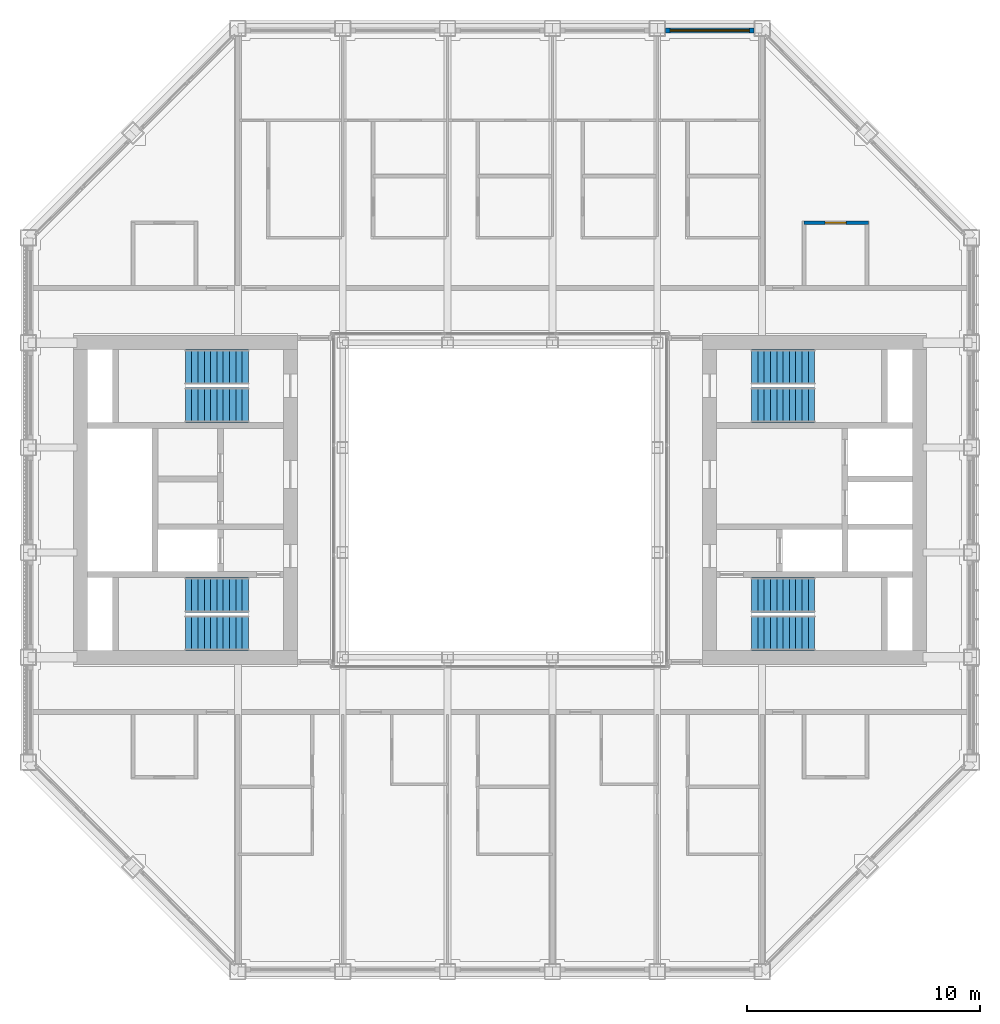
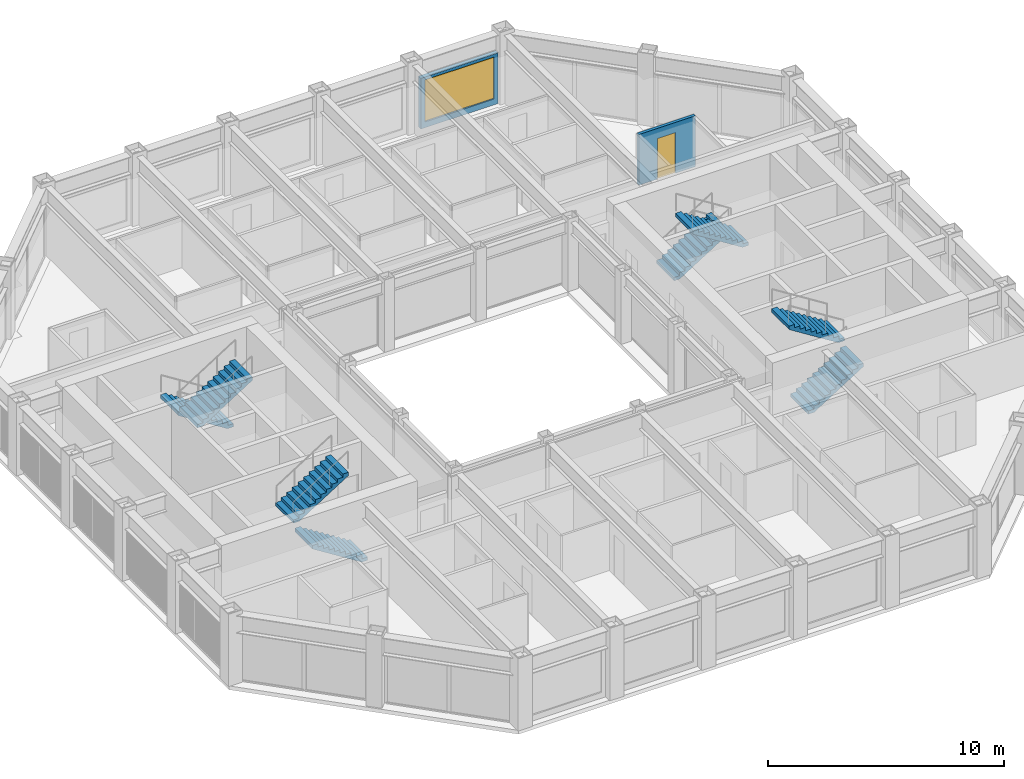
# One storey, part 13 of 18: 8 stair flights, 2 walls, 1 door, 1 window, 2 openings, 4 elements without a shape of their own.
"""IFC4 building model written with IfcOpenShell, lengths in metres."""

from ifc_helpers import new_model, si_unit, direction, frame, frame_2d, origin, place, context, subcontext, project, spatial, polyline, rectangle, outline, extrude, material, layer, layer_set, type_object, element, fill, aggregate, save


model = new_model("IFC4")

# Units and contexts
model_context = context("Model", 3, precision=1e-05, world=origin(), true_north=direction((0.0, 1.0)))
body_context = subcontext(model_context, "Body", "Model", "MODEL_VIEW")
ifc_project = project(units=[si_unit("LENGTHUNIT", "METRE"), si_unit("AREAUNIT", "SQUARE_METRE"), si_unit("VOLUMEUNIT", "CUBIC_METRE"), si_unit("PLANEANGLEUNIT", "RADIAN"), si_unit("MASSUNIT", "GRAM", prefix="KILO")], contexts=[model_context])

# Site, building, storey
site_placement = place(None, origin())
site = spatial("IfcSite", under=ifc_project, at=site_placement, CompositionType="ELEMENT")
building_placement = place(site_placement, origin())
building = spatial("IfcBuilding", under=site, at=building_placement, Name="Msasa Ring Tower", CompositionType="ELEMENT")
storey_placement = place(building_placement, frame((0.0, 0.0, 245.800048828125)))
storey = spatial("IfcBuildingStorey", under=building, at=storey_placement, Name="L64", CompositionType="ELEMENT", Elevation=245.800048828125)

# Wall, opening, window
ifc_material_1 = material(Name="Terracotta rainscreen on blockwork", Category="masonry")
ifc_layer_1 = layer(ifc_material_1, 0.199951171875)
ifc_layer_set_1 = layer_set([ifc_layer_1], Name="FW1 TERRACOTTA-LINED INFILL BAY WALL 200")
wall_type_1 = type_object("IfcWallType", Name="FW1 TERRACOTTA-LINED INFILL BAY WALL 200", PredefinedType="SOLIDWALL", material=ifc_layer_set_1)
wall_1_placement = place(storey_placement, frame((7.10498046875, 20.14990234375, 0.0), z_axis=(0.0, 0.0, 1.0), x_axis=(1.0, 0.0, 0.0)))
wall_1 = element("IfcWall", 1, at=wall_1_placement, inside=storey, type_object=wall_type_1, Name="Infill bay wall N L64 18", PredefinedType="SOLIDWALL", context=body_context, shape_type="SweptSolid", body=[
    extrude(rectangle(XDim=3.7900390625, YDim=0.199951171875, at=frame_2d((1.89501953125, 0.0))), origin(), (0.0, 0.0, 1.0), 2.62890625),
])
opening_1_placement = place(wall_1_placement, frame((0.195068359375, 0.0, 0.300048828125)))
opening_1 = element("IfcOpeningElement", 2, at=opening_1_placement, cuts=wall_1, Name="Opening WN3", PredefinedType="OPENING", context=body_context, shape_type="SweptSolid", body=[
    extrude(rectangle(XDim=3.39990234375, YDim=2.178955078125, at=frame_2d((1.699951171875, 1.08935546875))), frame((0.0, 0.10986328125, 0.0), z_axis=(0.0, -1.0, 0.0), x_axis=(1.0, 0.0, 0.0)), (0.0, 0.0, 1.0), 0.219970703125),
])
ifc_material_2 = material(Name="Aluminium frame with clear glass", Category="aluminium")
window_type = type_object("IfcWindowType", Name="WN3 SUITE WINDOW 3400x2179", PartitioningType="SINGLE_PANEL", PredefinedType="WINDOW", material=ifc_material_2)
window_placement = place(opening_1_placement, origin())
window = element("IfcWindow", 3, at=window_placement, inside=storey, type_object=window_type, Name="Window N L64 18", OverallHeight=2.178955078125, OverallWidth=3.39990234375, PartitioningType="SINGLE_PANEL", PredefinedType="WINDOW", context=body_context, shape_type="SweptSolid", body=[
    extrude(rectangle(XDim=3.39990234375, YDim=2.178955078125, at=frame_2d((1.699951171875, 1.08935546875))), frame((0.0, 0.030029296875, 0.0), z_axis=(0.0, -1.0, 0.0), x_axis=(1.0, 0.0, 0.0)), (0.0, 0.0, 1.0), 0.06005859375),
])
fill(opening_1, window)

# Wall, opening, door
ifc_material_3 = material(Name="Moisture-resistant board on steel studs with a concealed cistern and pipe void, tiled", Category="steel")
ifc_layer_2 = layer(ifc_material_3, 0.14990234375)
ifc_layer_set_2 = layer_set([ifc_layer_2], Name="PT4 BATHROOM WET WALL 150")
wall_type_2 = type_object("IfcWallType", Name="PT4 BATHROOM WET WALL 150", PredefinedType="PARTITIONING", material=ifc_layer_set_2)
wall_2_placement = place(storey_placement, frame((13.050048828125, 11.89990234375, 0.0), z_axis=(0.0, 0.0, 1.0), x_axis=(1.0, 0.0, 0.0)))
wall_2 = element("IfcWall", 4, at=wall_2_placement, inside=storey, type_object=wall_type_2, Name="Partition L64-CSNEBY", PredefinedType="PARTITIONING", context=body_context, shape_type="SweptSolid", body=[
    extrude(rectangle(XDim=2.77490234375, YDim=0.14990234375, at=frame_2d((1.387451171875, 0.0))), origin(), (0.0, 0.0, 1.0), 2.62890625),
])
opening_2_placement = place(wall_2_placement, frame((0.89990234375, 0.0, 0.0)))
opening_2 = element("IfcOpeningElement", 5, at=opening_2_placement, cuts=wall_2, Name="Opening SE-016", PredefinedType="OPENING", context=body_context, shape_type="SweptSolid", body=[
    extrude(rectangle(XDim=0.89990234375, YDim=2.10009765625, at=frame_2d((0.449951171875, 1.050048828125))), frame((0.0, 0.0849609375, 0.0), z_axis=(0.0, -1.0, 0.0), x_axis=(1.0, 0.0, 0.0)), (0.0, 0.0, 1.0), 0.169921875),
])
ifc_material_4 = material(Name="Timber door leaf in a steel frame", Category="steel")
door_type = type_object("IfcDoorType", Name="D3 BATHROOM DOOR 900x2100", OperationType="SINGLE_SWING_LEFT", PredefinedType="DOOR", material=ifc_material_4)
door_placement = place(opening_2_placement, origin())
door = element("IfcDoor", 6, at=door_placement, inside=storey, type_object=door_type, Name="Door L64-CSNEB1", OperationType="SINGLE_SWING_LEFT", OverallHeight=2.10009765625, OverallWidth=0.89990234375, PredefinedType="DOOR", context=body_context, shape_type="SweptSolid", body=[
    extrude(rectangle(XDim=0.89990234375, YDim=2.10009765625, at=frame_2d((0.449951171875, 1.050048828125))), frame((0.0, 0.02490234375, 0.0), z_axis=(0.0, -1.0, 0.0), x_axis=(1.0, 0.0, 0.0)), (0.0, 0.0, 1.0), 0.050048828125),
])
fill(opening_2, door)

# Stair, stair flights
ifc_material_5 = material(Name="Concrete C40/50", Category="concrete")
stair_type = type_object("IfcStairType", Name="STC CORE STAIR 22 RISERS 170.5", PredefinedType="HALF_TURN_STAIR", material=ifc_material_5)
stair_1_placement = place(storey_placement, origin())
stair_1 = element("IfcStair", 7, at=stair_1_placement, inside=storey, type_object=stair_type, Name="Core stair SEA L64", PredefinedType="HALF_TURN_STAIR")
ifc_material_6 = material(Name="Concrete C40/50", Category="concrete")
stair_flight_type = type_object("IfcStairFlightType", Name="ST11 CORE STAIR FLIGHT 1500 11 RISERS 170.5", PredefinedType="STRAIGHT", material=ifc_material_6)
stair_flight_1_placement = place(storey_placement, frame((10.800048828125, -5.699951171875, 0.0), z_axis=(0.0, 0.0, 1.0), x_axis=(1.0, 0.0, 0.0)))
stair_flight_1 = element("IfcStairFlight", 8, at=stair_flight_1_placement, type_object=stair_flight_type, Name="SEA flight 1", NumberOfRisers=11, NumberOfTreads=10, PredefinedType="STRAIGHT", RiserHeight=0.170454545, TreadLength=0.27, context=body_context, shape_type="SweptSolid", body=[
    extrude(outline(polyline([(0.0, 0.0), (0.0, 0.17041015625), (0.27001953125, 0.17041015625), (0.27001953125, 0.3408203125), (0.5400390625, 0.3408203125), (0.5400390625, 0.511474609375), (0.81005859375, 0.511474609375), (0.81005859375, 0.681884765625), (1.080078125, 0.681884765625), (1.080078125, 0.852294921875), (1.35009765625, 0.852294921875), (1.35009765625, 1.022705078125), (1.6201171875, 1.022705078125), (1.6201171875, 1.193115234375), (1.889892578125, 1.193115234375), (1.889892578125, 1.363525390625), (2.159912109375, 1.363525390625), (2.159912109375, 1.5341796875), (2.429931640625, 1.5341796875), (2.429931640625, 1.70458984375), (2.699951171875, 1.70458984375), (2.699951171875, 1.875), (2.699951171875, 1.52734375), (0.28076171875, 0.0), (0.0, 0.0)])), frame((0.0, 0.75, 0.0), z_axis=(0.0, -1.0, 0.0), x_axis=(1.0, 0.0, 0.0)), (0.0, 0.0, 1.0), 1.5),
])
stair_flight_2_placement = place(storey_placement, frame((13.5, -4.074951171875, 1.875), z_axis=(0.0, 0.0, 1.0), x_axis=(-1.0, 0.0, 0.0)))
stair_flight_2 = element("IfcStairFlight", 9, at=stair_flight_2_placement, type_object=stair_flight_type, Name="SEA flight 2", NumberOfRisers=11, NumberOfTreads=10, PredefinedType="STRAIGHT", RiserHeight=0.170454545, TreadLength=0.27, context=body_context, shape_type="SweptSolid", body=[
    extrude(outline(polyline([(0.0, 0.0), (0.0, 0.17041015625), (0.27001953125, 0.17041015625), (0.27001953125, 0.3408203125), (0.5400390625, 0.3408203125), (0.5400390625, 0.511474609375), (0.81005859375, 0.511474609375), (0.81005859375, 0.681884765625), (1.080078125, 0.681884765625), (1.080078125, 0.852294921875), (1.35009765625, 0.852294921875), (1.35009765625, 1.022705078125), (1.6201171875, 1.022705078125), (1.6201171875, 1.193115234375), (1.889892578125, 1.193115234375), (1.889892578125, 1.363525390625), (2.159912109375, 1.363525390625), (2.159912109375, 1.5341796875), (2.429931640625, 1.5341796875), (2.429931640625, 1.70458984375), (2.699951171875, 1.70458984375), (2.699951171875, 1.875), (2.699951171875, 1.52734375), (0.28076171875, 0.0), (0.0, 0.0)])), frame((0.0, 0.75, 0.0), z_axis=(0.0, -1.0, 0.0), x_axis=(1.0, 0.0, 0.0)), (0.0, 0.0, 1.0), 1.5),
])
aggregate(stair_1, [stair_flight_1, stair_flight_2])

stair_2_placement = place(storey_placement, origin())
stair_2 = element("IfcStair", 10, at=stair_2_placement, inside=storey, type_object=stair_type, Name="Core stair SEB L64", PredefinedType="HALF_TURN_STAIR")
stair_flight_3_placement = place(storey_placement, frame((10.800048828125, 5.699951171875, 0.0), z_axis=(0.0, 0.0, 1.0), x_axis=(1.0, 0.0, 0.0)))
stair_flight_3 = element("IfcStairFlight", 11, at=stair_flight_3_placement, type_object=stair_flight_type, Name="SEB flight 1", NumberOfRisers=11, NumberOfTreads=10, PredefinedType="STRAIGHT", RiserHeight=0.170454545, TreadLength=0.27, context=body_context, shape_type="SweptSolid", body=[
    extrude(outline(polyline([(0.0, 0.0), (0.0, 0.17041015625), (0.27001953125, 0.17041015625), (0.27001953125, 0.3408203125), (0.5400390625, 0.3408203125), (0.5400390625, 0.511474609375), (0.81005859375, 0.511474609375), (0.81005859375, 0.681884765625), (1.080078125, 0.681884765625), (1.080078125, 0.852294921875), (1.35009765625, 0.852294921875), (1.35009765625, 1.022705078125), (1.6201171875, 1.022705078125), (1.6201171875, 1.193115234375), (1.889892578125, 1.193115234375), (1.889892578125, 1.363525390625), (2.159912109375, 1.363525390625), (2.159912109375, 1.5341796875), (2.429931640625, 1.5341796875), (2.429931640625, 1.70458984375), (2.699951171875, 1.70458984375), (2.699951171875, 1.875), (2.699951171875, 1.52734375), (0.28076171875, 0.0), (0.0, 0.0)])), frame((0.0, 0.75, 0.0), z_axis=(0.0, -1.0, 0.0), x_axis=(1.0, 0.0, 0.0)), (0.0, 0.0, 1.0), 1.5),
])
stair_flight_4_placement = place(storey_placement, frame((13.5, 4.074951171875, 1.875), z_axis=(0.0, 0.0, 1.0), x_axis=(-1.0, 0.0, 0.0)))
stair_flight_4 = element("IfcStairFlight", 12, at=stair_flight_4_placement, type_object=stair_flight_type, Name="SEB flight 2", NumberOfRisers=11, NumberOfTreads=10, PredefinedType="STRAIGHT", RiserHeight=0.170454545, TreadLength=0.27, context=body_context, shape_type="SweptSolid", body=[
    extrude(outline(polyline([(0.0, 0.0), (0.0, 0.17041015625), (0.27001953125, 0.17041015625), (0.27001953125, 0.3408203125), (0.5400390625, 0.3408203125), (0.5400390625, 0.511474609375), (0.81005859375, 0.511474609375), (0.81005859375, 0.681884765625), (1.080078125, 0.681884765625), (1.080078125, 0.852294921875), (1.35009765625, 0.852294921875), (1.35009765625, 1.022705078125), (1.6201171875, 1.022705078125), (1.6201171875, 1.193115234375), (1.889892578125, 1.193115234375), (1.889892578125, 1.363525390625), (2.159912109375, 1.363525390625), (2.159912109375, 1.5341796875), (2.429931640625, 1.5341796875), (2.429931640625, 1.70458984375), (2.699951171875, 1.70458984375), (2.699951171875, 1.875), (2.699951171875, 1.52734375), (0.28076171875, 0.0), (0.0, 0.0)])), frame((0.0, 0.75, 0.0), z_axis=(0.0, -1.0, 0.0), x_axis=(1.0, 0.0, 0.0)), (0.0, 0.0, 1.0), 1.5),
])
aggregate(stair_2, [stair_flight_3, stair_flight_4])

stair_3_placement = place(storey_placement, origin())
stair_3 = element("IfcStair", 13, at=stair_3_placement, inside=storey, type_object=stair_type, Name="Core stair SWA L64", PredefinedType="HALF_TURN_STAIR")
stair_flight_5_placement = place(storey_placement, frame((-10.800048828125, -5.699951171875, 0.0), z_axis=(0.0, 0.0, 1.0), x_axis=(-1.0, 0.0, 0.0)))
stair_flight_5 = element("IfcStairFlight", 14, at=stair_flight_5_placement, type_object=stair_flight_type, Name="SWA flight 1", NumberOfRisers=11, NumberOfTreads=10, PredefinedType="STRAIGHT", RiserHeight=0.170454545, TreadLength=0.27, context=body_context, shape_type="SweptSolid", body=[
    extrude(outline(polyline([(0.0, 0.0), (0.0, 0.17041015625), (0.27001953125, 0.17041015625), (0.27001953125, 0.3408203125), (0.5400390625, 0.3408203125), (0.5400390625, 0.511474609375), (0.81005859375, 0.511474609375), (0.81005859375, 0.681884765625), (1.080078125, 0.681884765625), (1.080078125, 0.852294921875), (1.35009765625, 0.852294921875), (1.35009765625, 1.022705078125), (1.6201171875, 1.022705078125), (1.6201171875, 1.193115234375), (1.889892578125, 1.193115234375), (1.889892578125, 1.363525390625), (2.159912109375, 1.363525390625), (2.159912109375, 1.5341796875), (2.429931640625, 1.5341796875), (2.429931640625, 1.70458984375), (2.699951171875, 1.70458984375), (2.699951171875, 1.875), (2.699951171875, 1.52734375), (0.28076171875, 0.0), (0.0, 0.0)])), frame((0.0, 0.75, 0.0), z_axis=(0.0, -1.0, 0.0), x_axis=(1.0, 0.0, 0.0)), (0.0, 0.0, 1.0), 1.5),
])
stair_flight_6_placement = place(storey_placement, frame((-13.5, -4.074951171875, 1.875), z_axis=(0.0, 0.0, 1.0), x_axis=(1.0, 0.0, 0.0)))
stair_flight_6 = element("IfcStairFlight", 15, at=stair_flight_6_placement, type_object=stair_flight_type, Name="SWA flight 2", NumberOfRisers=11, NumberOfTreads=10, PredefinedType="STRAIGHT", RiserHeight=0.170454545, TreadLength=0.27, context=body_context, shape_type="SweptSolid", body=[
    extrude(outline(polyline([(0.0, 0.0), (0.0, 0.17041015625), (0.27001953125, 0.17041015625), (0.27001953125, 0.3408203125), (0.5400390625, 0.3408203125), (0.5400390625, 0.511474609375), (0.81005859375, 0.511474609375), (0.81005859375, 0.681884765625), (1.080078125, 0.681884765625), (1.080078125, 0.852294921875), (1.35009765625, 0.852294921875), (1.35009765625, 1.022705078125), (1.6201171875, 1.022705078125), (1.6201171875, 1.193115234375), (1.889892578125, 1.193115234375), (1.889892578125, 1.363525390625), (2.159912109375, 1.363525390625), (2.159912109375, 1.5341796875), (2.429931640625, 1.5341796875), (2.429931640625, 1.70458984375), (2.699951171875, 1.70458984375), (2.699951171875, 1.875), (2.699951171875, 1.52734375), (0.28076171875, 0.0), (0.0, 0.0)])), frame((0.0, 0.75, 0.0), z_axis=(0.0, -1.0, 0.0), x_axis=(1.0, 0.0, 0.0)), (0.0, 0.0, 1.0), 1.5),
])
aggregate(stair_3, [stair_flight_5, stair_flight_6])

stair_4_placement = place(storey_placement, origin())
stair_4 = element("IfcStair", 16, at=stair_4_placement, inside=storey, type_object=stair_type, Name="Core stair SWB L64", PredefinedType="HALF_TURN_STAIR")
stair_flight_7_placement = place(storey_placement, frame((-10.800048828125, 5.699951171875, 0.0), z_axis=(0.0, 0.0, 1.0), x_axis=(-1.0, 0.0, 0.0)))
stair_flight_7 = element("IfcStairFlight", 17, at=stair_flight_7_placement, type_object=stair_flight_type, Name="SWB flight 1", NumberOfRisers=11, NumberOfTreads=10, PredefinedType="STRAIGHT", RiserHeight=0.170454545, TreadLength=0.27, context=body_context, shape_type="SweptSolid", body=[
    extrude(outline(polyline([(0.0, 0.0), (0.0, 0.17041015625), (0.27001953125, 0.17041015625), (0.27001953125, 0.3408203125), (0.5400390625, 0.3408203125), (0.5400390625, 0.511474609375), (0.81005859375, 0.511474609375), (0.81005859375, 0.681884765625), (1.080078125, 0.681884765625), (1.080078125, 0.852294921875), (1.35009765625, 0.852294921875), (1.35009765625, 1.022705078125), (1.6201171875, 1.022705078125), (1.6201171875, 1.193115234375), (1.889892578125, 1.193115234375), (1.889892578125, 1.363525390625), (2.159912109375, 1.363525390625), (2.159912109375, 1.5341796875), (2.429931640625, 1.5341796875), (2.429931640625, 1.70458984375), (2.699951171875, 1.70458984375), (2.699951171875, 1.875), (2.699951171875, 1.52734375), (0.28076171875, 0.0), (0.0, 0.0)])), frame((0.0, 0.75, 0.0), z_axis=(0.0, -1.0, 0.0), x_axis=(1.0, 0.0, 0.0)), (0.0, 0.0, 1.0), 1.5),
])
stair_flight_8_placement = place(storey_placement, frame((-13.5, 4.074951171875, 1.875), z_axis=(0.0, 0.0, 1.0), x_axis=(1.0, 0.0, 0.0)))
stair_flight_8 = element("IfcStairFlight", 18, at=stair_flight_8_placement, type_object=stair_flight_type, Name="SWB flight 2", NumberOfRisers=11, NumberOfTreads=10, PredefinedType="STRAIGHT", RiserHeight=0.170454545, TreadLength=0.27, context=body_context, shape_type="SweptSolid", body=[
    extrude(outline(polyline([(0.0, 0.0), (0.0, 0.17041015625), (0.27001953125, 0.17041015625), (0.27001953125, 0.3408203125), (0.5400390625, 0.3408203125), (0.5400390625, 0.511474609375), (0.81005859375, 0.511474609375), (0.81005859375, 0.681884765625), (1.080078125, 0.681884765625), (1.080078125, 0.852294921875), (1.35009765625, 0.852294921875), (1.35009765625, 1.022705078125), (1.6201171875, 1.022705078125), (1.6201171875, 1.193115234375), (1.889892578125, 1.193115234375), (1.889892578125, 1.363525390625), (2.159912109375, 1.363525390625), (2.159912109375, 1.5341796875), (2.429931640625, 1.5341796875), (2.429931640625, 1.70458984375), (2.699951171875, 1.70458984375), (2.699951171875, 1.875), (2.699951171875, 1.52734375), (0.28076171875, 0.0), (0.0, 0.0)])), frame((0.0, 0.75, 0.0), z_axis=(0.0, -1.0, 0.0), x_axis=(1.0, 0.0, 0.0)), (0.0, 0.0, 1.0), 1.5),
])
aggregate(stair_4, [stair_flight_7, stair_flight_8])

save(model, "model.ifc")
